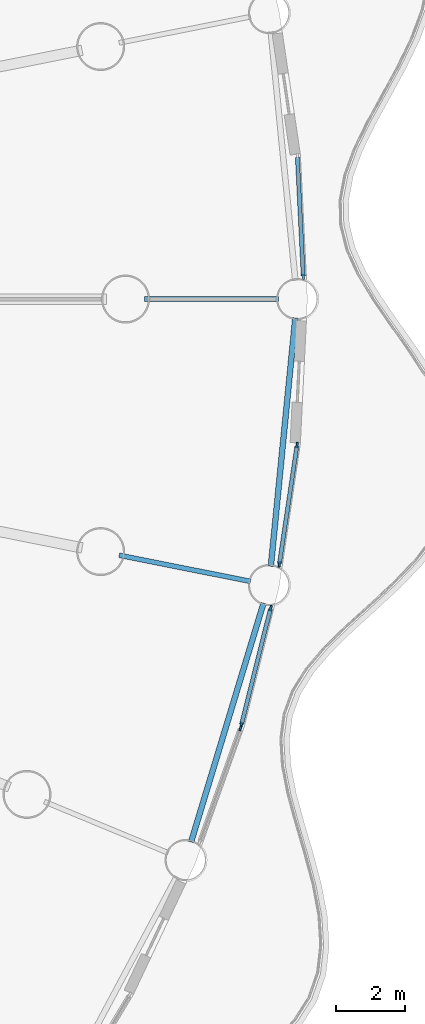
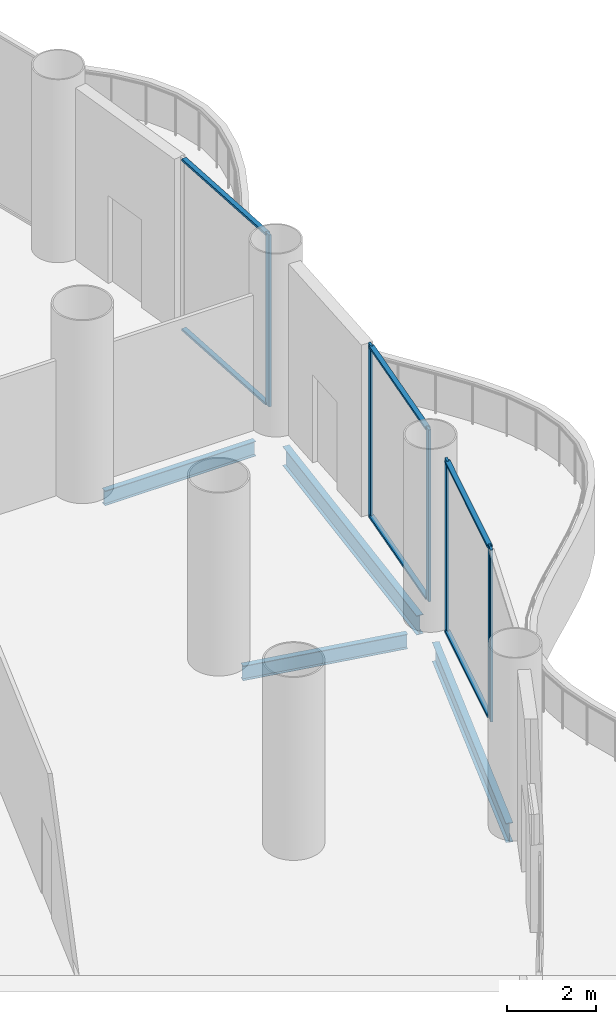
# One storey, part 13 of 36: 12 members, 4 beams, 4 elements without a shape of their own.
"""IFC4 building model written with IfcOpenShell, lengths in metres."""

from ifc_helpers import new_model, si_unit, direction, frame, origin, origin_2d, place, context, subcontext, project, spatial, rectangle, i_section, extrude, material, material_profile, profile_set, type_object, element, aggregate, save


model = new_model("IFC4")

# Units and contexts
model_context = context("Model", 3, precision=1e-05, world=origin(), true_north=direction((0.0, 1.0)))
body_context = subcontext(model_context, "Body", "Model", "MODEL_VIEW")
ifc_project = project(units=[si_unit("LENGTHUNIT", "METRE"), si_unit("AREAUNIT", "SQUARE_METRE"), si_unit("VOLUMEUNIT", "CUBIC_METRE"), si_unit("PLANEANGLEUNIT", "RADIAN"), si_unit("MASSUNIT", "GRAM", prefix="KILO")], contexts=[model_context])

# Site, building, storey
site_placement = place(None, origin())
site = spatial("IfcSite", under=ifc_project, at=site_placement, CompositionType="ELEMENT")
building_placement = place(site_placement, origin())
building = spatial("IfcBuilding", under=site, at=building_placement, Name="Corvane Civic Tower", CompositionType="ELEMENT")
storey_placement = place(building_placement, frame((0.0, 0.0, 17.0)))
storey = spatial("IfcBuildingStorey", under=building, at=storey_placement, Name="L03", CompositionType="ELEMENT", Elevation=17.0)

# Beams
ifc_material_1 = material(Name="Steel ASTM A992 Gr 50", Category="steel")
ifc_material_profile_1 = material_profile(ifc_material_1, i_section(OverallWidth=0.165771484375, OverallDepth=0.5283203125, WebThickness=0.009765625, FlangeThickness=0.013671875, at=origin_2d()), Name="W21X50")
ifc_profile_set_1 = profile_set([ifc_material_profile_1], Name="Steel ASTM A992 Gr 50")
beam_type_1 = type_object("IfcBeamType", Name="EDGE BEAM W21X50", PredefinedType="BEAM", material=ifc_profile_set_1)
for number, where, z_axis, x_axis, name in (
    (1, (42.64599609375, -0.54736328125, -0.564208984375), (-0.097984225478, -0.995187967953, 0.0), (0.995187967953, -0.097984225478, 0.0), "BM-L03-E09"),
    (2, (41.719970703125, -8.856689453125, -0.564208984375), (-0.290291633127, -0.956938225664, 0.0), (0.956938225664, -0.290291633127, 0.0), "BM-L03-E10"),
):
    element("IfcBeam", number, at=place(storey_placement, frame(where, z_axis=z_axis, x_axis=x_axis)), inside=storey, type_object=beam_type_1, Name=name, PredefinedType="BEAM", context=body_context, shape_type="SweptSolid", body=[
        extrude(i_section(OverallWidth=0.165771484375, OverallDepth=0.5283203125, WebThickness=0.009765625, FlangeThickness=0.013671875, at=origin_2d()), origin(), (0.0, 0.0, 1.0), 7.2705078125),
    ])
ifc_material_2 = material(Name="Steel ASTM A992 Gr 50", Category="steel")
ifc_material_profile_2 = material_profile(ifc_material_2, i_section(OverallWidth=0.140380859375, OverallDepth=0.40380859375, WebThickness=0.007080078125, FlangeThickness=0.01123046875, at=origin_2d()), Name="W16X31")
ifc_profile_set_2 = profile_set([ifc_material_profile_2], Name="Steel ASTM A992 Gr 50")
beam_type_2 = type_object("IfcBeamType", Name="FLOOR GIRDER W16X31", PredefinedType="BEAM", material=ifc_profile_set_2)
for number, where, z_axis, x_axis, name in (
    (3, (38.25, 0.0, -0.501953125), (1.0, 0.0, 0.0), (0.0, 1.0, 0.0), "BM-L03-G09b"),
    (4, (37.51513671875, -7.462158203125, -0.501953125), (0.980777614264, -0.195128858343, 0.0), (0.195128858343, 0.980777614264, 0.0), "BM-L03-G10b"),
):
    element("IfcBeam", number, at=place(storey_placement, frame(where, z_axis=z_axis, x_axis=x_axis)), inside=storey, type_object=beam_type_2, Name=name, PredefinedType="BEAM", context=body_context, shape_type="SweptSolid", body=[
        extrude(i_section(OverallWidth=0.140380859375, OverallDepth=0.40380859375, WebThickness=0.007080078125, FlangeThickness=0.01123046875, at=origin_2d()), origin(), (0.0, 0.0, 1.0), 3.89990234375),
    ])

# Curtain wall, member
ifc_material_3 = material(Name="Aluminium and glass", Category="aluminium")
curtain_wall_type = type_object("IfcCurtainWallType", Name="PODIUM-CW-P-RUN", PredefinedType="NOTDEFINED", material=ifc_material_3)
curtain_wall_1_placement = place(storey_placement, origin())
curtain_wall_1 = element("IfcCurtainWall", 5, at=curtain_wall_1_placement, inside=storey, type_object=curtain_wall_type, Name="PODI run L03-drum-08B", PredefinedType="NOTDEFINED")
ifc_material_4 = material(Name="Anodised aluminium bronze", Category="aluminium")
ifc_material_profile_3 = material_profile(ifc_material_4, rectangle(XDim=0.06005859375, YDim=0.159912109375, at=origin_2d()), Name="AL 60x160")
ifc_profile_set_3 = profile_set([ifc_material_profile_3], Name="Anodised aluminium bronze")
member_type_1 = type_object("IfcMemberType", Name="PODIUM-CWP-MULLION-60x160", PredefinedType="MULLION", material=ifc_profile_set_3)
member_1_placement = place(storey_placement, frame((42.878173828125, 0.644775390625, 0.0), z_axis=(0.0, 0.0, 1.0), x_axis=(0.998796316803, 0.04905015332, 0.0)))
member_1 = element("IfcMember", 6, at=member_1_placement, type_object=member_type_1, Name="CW-P mullion 2", PredefinedType="MULLION", context=body_context, shape_type="SweptSolid", body=[
    extrude(rectangle(XDim=0.06005859375, YDim=0.159912109375, at=origin_2d()), origin(), (0.0, 0.0, 1.0), 4.699951171875),
])

# Curtain wall, members
curtain_wall_2_placement = place(storey_placement, origin())
curtain_wall_2 = element("IfcCurtainWall", 7, at=curtain_wall_2_placement, inside=storey, type_object=curtain_wall_type, Name="PODI run L03-drum-09B", PredefinedType="NOTDEFINED")
member_2_placement = place(storey_placement, frame((42.696533203125, -4.2509765625, 0.0), z_axis=(0.0, 0.0, 1.0), x_axis=(0.989178850608, -0.146714694252, 0.0)))
member_2 = element("IfcMember", 8, at=member_2_placement, type_object=member_type_1, Name="CW-P mullion 1", PredefinedType="MULLION", context=body_context, shape_type="SweptSolid", body=[
    extrude(rectangle(XDim=0.06005859375, YDim=0.159912109375, at=origin_2d()), origin(), (0.0, 0.0, 1.0), 4.699951171875),
])
member_3_placement = place(storey_placement, frame((42.18017578125, -7.732666015625, 0.0), z_axis=(0.0, 0.0, 1.0), x_axis=(0.989178850608, -0.146714694252, 0.0)))
member_3 = element("IfcMember", 9, at=member_3_placement, type_object=member_type_1, Name="CW-P mullion 2", PredefinedType="MULLION", context=body_context, shape_type="SweptSolid", body=[
    extrude(rectangle(XDim=0.06005859375, YDim=0.159912109375, at=origin_2d()), origin(), (0.0, 0.0, 1.0), 4.699951171875),
])

curtain_wall_3_placement = place(storey_placement, origin())
curtain_wall_3 = element("IfcCurtainWall", 10, at=curtain_wall_3_placement, inside=storey, type_object=curtain_wall_type, Name="PODI run L03-drum-10A", PredefinedType="NOTDEFINED")
member_4_placement = place(storey_placement, frame((41.9287109375, -8.99755859375, 0.0), z_axis=(0.0, 0.0, 1.0), x_axis=(0.970024070659, -0.243008852393, 0.0)))
member_4 = element("IfcMember", 11, at=member_4_placement, type_object=member_type_1, Name="CW-P mullion 1", PredefinedType="MULLION", context=body_context, shape_type="SweptSolid", body=[
    extrude(rectangle(XDim=0.06005859375, YDim=0.159912109375, at=origin_2d()), origin(), (0.0, 0.0, 1.0), 4.699951171875),
])
member_5_placement = place(storey_placement, frame((41.0732421875, -12.411865234375, 0.0), z_axis=(0.0, 0.0, 1.0), x_axis=(0.970024070659, -0.243008852393, 0.0)))
member_5 = element("IfcMember", 12, at=member_5_placement, type_object=member_type_1, Name="CW-P mullion 2", PredefinedType="MULLION", context=body_context, shape_type="SweptSolid", body=[
    extrude(rectangle(XDim=0.06005859375, YDim=0.159912109375, at=origin_2d()), origin(), (0.0, 0.0, 1.0), 4.699951171875),
])

# Curtain wall, member
curtain_wall_4_placement = place(storey_placement, origin())
curtain_wall_4 = element("IfcCurtainWall", 13, at=curtain_wall_4_placement, inside=storey, type_object=curtain_wall_type, Name="PODI run L03-drum-10B", PredefinedType="NOTDEFINED")
member_6_placement = place(storey_placement, frame((41.046875, -12.4990234375, 0.0), z_axis=(0.0, 0.0, 1.0), x_axis=(0.941533802561, -0.336918534123, 0.0)))
member_6 = element("IfcMember", 14, at=member_6_placement, type_object=member_type_1, Name="CW-P mullion 1", PredefinedType="MULLION", context=body_context, shape_type="SweptSolid", body=[
    extrude(rectangle(XDim=0.06005859375, YDim=0.159912109375, at=origin_2d()), origin(), (0.0, 0.0, 1.0), 4.699951171875),
])
aggregate(curtain_wall_4, [member_6])

# Member
ifc_material_5 = material(Name="Anodised aluminium bronze", Category="aluminium")
ifc_material_profile_4 = material_profile(ifc_material_5, rectangle(XDim=0.1201171875, YDim=0.06005859375, at=origin_2d()), Name="AL 120x60")
ifc_profile_set_4 = profile_set([ifc_material_profile_4], Name="Anodised aluminium bronze")
member_type_2 = type_object("IfcMemberType", Name="PODIUM-CWP-TRANSOM-60x120", PredefinedType="USERDEFINED", material=ifc_profile_set_4)
member_7_placement = place(storey_placement, frame((42.70703125, 4.130615234375, 0.030029296875), z_axis=(0.049040182301, -0.998796806423, 0.0), x_axis=(0.998796806423, 0.049040182301, 0.0)))
member_7 = element("IfcMember", 15, at=member_7_placement, type_object=member_type_2, Name="CW-P transom 1.1", ObjectType="TRANSOM", PredefinedType="USERDEFINED", context=body_context, shape_type="SweptSolid", body=[
    extrude(rectangle(XDim=0.1201171875, YDim=0.06005859375, at=origin_2d()), origin(), (0.0, 0.0, 1.0), 3.4599609375),
])

member_8_placement = place(storey_placement, frame((42.70703125, 4.130615234375, 4.669921875), z_axis=(0.049040182301, -0.998796806423, 0.0), x_axis=(0.998796806423, 0.049040182301, 0.0)))
member_8 = element("IfcMember", 16, at=member_8_placement, type_object=member_type_2, Name="CW-P transom 1.2", ObjectType="TRANSOM", PredefinedType="USERDEFINED", context=body_context, shape_type="SweptSolid", body=[
    extrude(rectangle(XDim=0.1201171875, YDim=0.06005859375, at=origin_2d()), origin(), (0.0, 0.0, 1.0), 3.4599609375),
])

aggregate(curtain_wall_1, [member_1, member_7, member_8])

member_9_placement = place(storey_placement, frame((42.692138671875, -4.28076171875, 0.030029296875), z_axis=(-0.146704660039, -0.989180338828, 0.0), x_axis=(0.989180338828, -0.146704660039, 0.0)))
member_9 = element("IfcMember", 17, at=member_9_placement, type_object=member_type_2, Name="CW-P transom 1.1", ObjectType="TRANSOM", PredefinedType="USERDEFINED", context=body_context, shape_type="SweptSolid", body=[
    extrude(rectangle(XDim=0.1201171875, YDim=0.06005859375, at=origin_2d()), origin(), (0.0, 0.0, 1.0), 3.459716796875),
])

member_10_placement = place(storey_placement, frame((42.692138671875, -4.28076171875, 4.669921875), z_axis=(-0.146704660039, -0.989180338828, 0.0), x_axis=(0.989180338828, -0.146704660039, 0.0)))
member_10 = element("IfcMember", 18, at=member_10_placement, type_object=member_type_2, Name="CW-P transom 1.2", ObjectType="TRANSOM", PredefinedType="USERDEFINED", context=body_context, shape_type="SweptSolid", body=[
    extrude(rectangle(XDim=0.1201171875, YDim=0.06005859375, at=origin_2d()), origin(), (0.0, 0.0, 1.0), 3.459716796875),
])

aggregate(curtain_wall_2, [member_2, member_3, member_9, member_10])

member_11_placement = place(storey_placement, frame((41.92138671875, -9.026611328125, 0.030029296875), z_axis=(-0.243017080124, -0.970022009425, 0.0), x_axis=(0.970022009425, -0.243017080124, 0.0)))
member_11 = element("IfcMember", 19, at=member_11_placement, type_object=member_type_2, Name="CW-P transom 1.1", ObjectType="TRANSOM", PredefinedType="USERDEFINED", context=body_context, shape_type="SweptSolid", body=[
    extrude(rectangle(XDim=0.1201171875, YDim=0.06005859375, at=origin_2d()), origin(), (0.0, 0.0, 1.0), 3.4599609375),
])

member_12_placement = place(storey_placement, frame((41.92138671875, -9.026611328125, 4.669921875), z_axis=(-0.243017080124, -0.970022009425, 0.0), x_axis=(0.970022009425, -0.243017080124, 0.0)))
member_12 = element("IfcMember", 20, at=member_12_placement, type_object=member_type_2, Name="CW-P transom 1.2", ObjectType="TRANSOM", PredefinedType="USERDEFINED", context=body_context, shape_type="SweptSolid", body=[
    extrude(rectangle(XDim=0.1201171875, YDim=0.06005859375, at=origin_2d()), origin(), (0.0, 0.0, 1.0), 3.4599609375),
])

aggregate(curtain_wall_3, [member_4, member_5, member_11, member_12])

save(model, "model.ifc")
